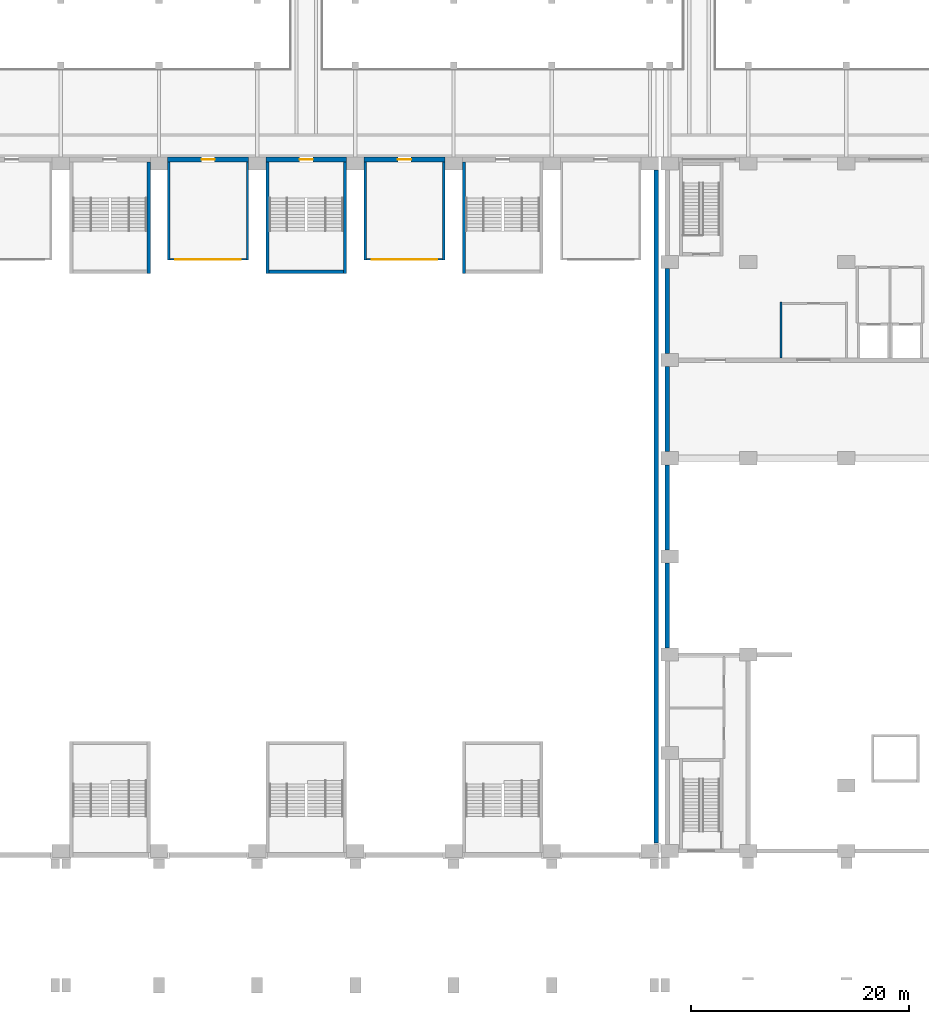
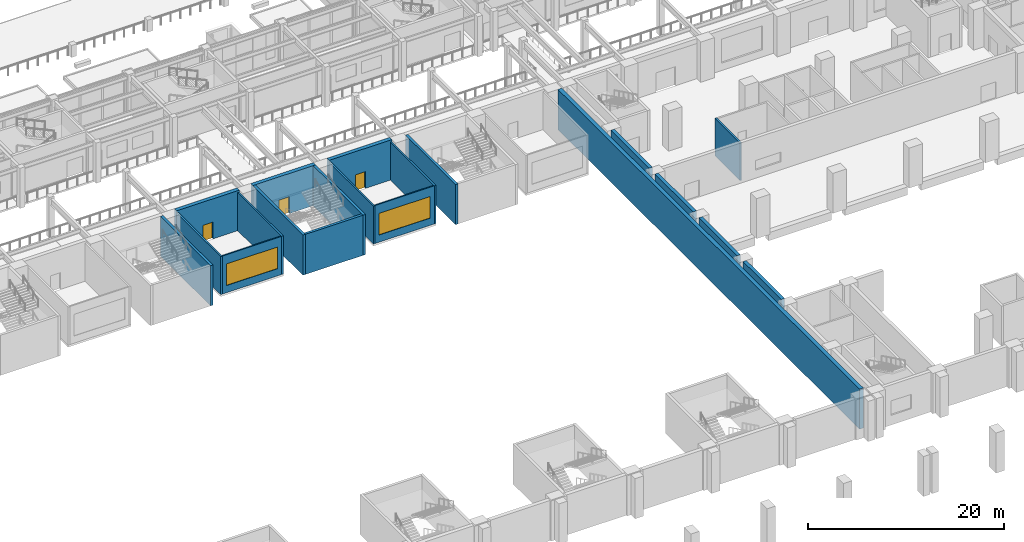
# One storey, part 38 of 67: 20 walls, 3 doors, 2 windows, 5 openings.
"""IFC4 building model written with IfcOpenShell, lengths in metres."""

from ifc_helpers import new_model, si_unit, direction, frame, frame_2d, origin, place, context, subcontext, project, spatial, rectangle, extrude, material, layer, layer_set, type_object, element, fill, save


model = new_model("IFC4")

# Units and contexts
model_context = context("Model", 3, precision=1e-05, world=origin(), true_north=direction((0.0, 1.0)))
body_context = subcontext(model_context, "Body", "Model", "MODEL_VIEW")
ifc_project = project(units=[si_unit("LENGTHUNIT", "METRE"), si_unit("AREAUNIT", "SQUARE_METRE"), si_unit("VOLUMEUNIT", "CUBIC_METRE"), si_unit("PLANEANGLEUNIT", "RADIAN"), si_unit("MASSUNIT", "GRAM", prefix="KILO")], contexts=[model_context])

# Site, building, storey
site_placement = place(None, origin())
site = spatial("IfcSite", under=ifc_project, at=site_placement, CompositionType="ELEMENT")
building_placement = place(site_placement, origin())
building = spatial("IfcBuilding", under=site, at=building_placement, Name="Aravalli Gate Trade Fair Centre", CompositionType="ELEMENT")
storey_placement = place(building_placement, frame((0.0, 0.0, 5.0)))
storey = spatial("IfcBuildingStorey", under=building, at=storey_placement, Name="L01", CompositionType="ELEMENT", Elevation=5.0)

# Walls
ifc_material_1 = material(Name="Concrete M40", Category="concrete")
ifc_layer_1 = layer(ifc_material_1, 0.25, Name="Structural wall")
ifc_material_2 = material(Name="Ventilated air cavity")
ifc_layer_2 = layer(ifc_material_2, 0.050048828125, ventilated=True, Name="Ventilated cavity")
ifc_material_3 = material(Name="Terracotta rainscreen", Category="masonry")
ifc_layer_3 = layer(ifc_material_3, 0.10009765625, Name="Rainscreen cladding")
ifc_layer_set_1 = layer_set([ifc_layer_1, ifc_layer_2, ifc_layer_3], Name="Congress external wall 400")
wall_type_1 = type_object("IfcWallType", Name="Congress external wall 400", PredefinedType="SOLIDWALL", material=ifc_layer_set_1)
for number, where, z_axis, x_axis, name in (
    (1, (106.60009765625, 64.60009765625, 0.0), (0.0, 0.0, 1.0), (0.0, 1.0, 0.0), "West wall L01 bay 3"),
    (2, (106.60009765625, 73.60009765625, 0.0), (0.0, 0.0, 1.0), (0.0, 1.0, 0.0), "West wall L01 bay 4"),
    (3, (106.60009765625, 82.60009765625, 0.0), (0.0, 0.0, 1.0), (0.0, 1.0, 0.0), "West wall L01 bay 5"),
    (4, (106.60009765625, 91.60009765625, 0.0), (0.0, 0.0, 1.0), (0.0, 1.0, 0.0), "West wall L01 bay 6"),
):
    element("IfcWall", number, at=place(storey_placement, frame(where, z_axis=z_axis, x_axis=x_axis)), inside=storey, type_object=wall_type_1, Name=name, PredefinedType="SOLIDWALL", context=body_context, shape_type="SweptSolid", body=[
        extrude(rectangle(XDim=7.7998046875, YDim=0.39990234375, at=frame_2d((3.89990234375, 0.0))), origin(), (0.0, 0.0, 1.0), 5.0),
    ])
ifc_material_4 = material(Name="Concrete block masonry", Category="masonry")
ifc_layer_4 = layer(ifc_material_4, 0.199951171875)
ifc_layer_set_2 = layer_set([ifc_layer_4], Name="Concrete block masonry")
wall_type_2 = type_object("IfcWallType", Name="Congress partition 200", PredefinedType="PARTITIONING", material=ifc_layer_set_2)
wall_1_placement = place(storey_placement, frame((117.0, 91.199951171875, 0.0), z_axis=(0.0, 0.0, 1.0), x_axis=(0.0, 1.0, 0.0)))
element("IfcWall", 5, at=wall_1_placement, inside=storey, type_object=wall_type_2, Name="Control room wall W", PredefinedType="PARTITIONING", context=body_context, shape_type="SweptSolid", body=[
    extrude(rectangle(XDim=5.10009765625, YDim=0.199951171875, at=frame_2d((2.550048828125, 0.0))), origin(), (0.0, 0.0, 1.0), 4.699951171875),
])

# Wall, opening, door
ifc_layer_5 = layer(ifc_material_1, 0.25, Name="Structural wall")
ifc_layer_6 = layer(ifc_material_2, 0.10009765625, ventilated=True, Name="Ventilated cavity")
ifc_layer_7 = layer(ifc_material_3, 0.10009765625, Name="Rainscreen cladding")
ifc_layer_set_3 = layer_set([ifc_layer_5, ifc_layer_6, ifc_layer_7], Name="Hall external wall 450")
wall_type_3 = type_object("IfcWallType", Name="Hall external wall 450", PredefinedType="SOLIDWALL", material=ifc_layer_set_3)
wall_2_placement = place(storey_placement, frame((60.800048828125, 109.375, 0.0), z_axis=(0.0, 0.0, 1.0), x_axis=(1.0, 0.0, 0.0)))
wall_2 = element("IfcWall", 6, at=wall_2_placement, inside=storey, type_object=wall_type_3, Name="Hall north wall bay 7 L01", PredefinedType="SOLIDWALL", context=body_context, shape_type="SweptSolid", body=[
    extrude(rectangle(XDim=7.39990234375, YDim=0.449951171875, at=frame_2d((3.699951171875, 0.0))), origin(), (0.0, 0.0, 1.0), 5.0),
])
opening_1_placement = place(wall_2_placement, frame((3.10009765625, 0.0, 0.0)))
opening_1 = element("IfcOpeningElement", 7, at=opening_1_placement, cuts=wall_2, Name="Opening H-L01-09", PredefinedType="OPENING", context=body_context, shape_type="SweptSolid", body=[
    extrude(rectangle(XDim=1.199951171875, YDim=2.10009765625, at=frame_2d((0.60009765625, 1.050048828125))), frame((0.0, 0.23486328125, 0.0), z_axis=(0.0, -1.0, 0.0), x_axis=(1.0, 0.0, 0.0)), (0.0, 0.0, 1.0), 0.469970703125),
])
ifc_material_5 = material(Name="Steel", Category="steel")
door_type_1 = type_object("IfcDoorType", Name="Meeting room door FD60", OperationType="SINGLE_SWING_LEFT", PredefinedType="DOOR", material=ifc_material_5)
door_1_placement = place(opening_1_placement, frame((1.199951171875, 0.0, 0.0), z_axis=(0.0, 0.0, 1.0), x_axis=(-1.0, 0.0, 0.0)))
door_1 = element("IfcDoor", 8, at=door_1_placement, inside=storey, type_object=door_type_1, Name="Meeting room 4 door", OperationType="SINGLE_SWING_RIGHT", OverallHeight=2.10009765625, OverallWidth=1.199951171875, PredefinedType="DOOR", context=body_context, shape_type="SweptSolid", body=[
    extrude(rectangle(XDim=1.199951171875, YDim=2.10009765625, at=frame_2d((0.60009765625, 1.050048828125))), frame((0.0, 0.02490234375, 0.0), z_axis=(0.0, -1.0, 0.0), x_axis=(1.0, 0.0, 0.0)), (0.0, 0.0, 1.0), 0.050048828125),
])
fill(opening_1, door_1)

wall_3_placement = place(storey_placement, frame((69.800048828125, 109.375, 0.0), z_axis=(0.0, 0.0, 1.0), x_axis=(1.0, 0.0, 0.0)))
wall_3 = element("IfcWall", 9, at=wall_3_placement, inside=storey, type_object=wall_type_3, Name="Hall north wall bay 8 L01", PredefinedType="SOLIDWALL", context=body_context, shape_type="SweptSolid", body=[
    extrude(rectangle(XDim=7.39990234375, YDim=0.449951171875, at=frame_2d((3.699951171875, 0.0))), origin(), (0.0, 0.0, 1.0), 5.0),
])
opening_2_placement = place(wall_3_placement, frame((3.10009765625, 0.0, 0.0)))
opening_2 = element("IfcOpeningElement", 10, at=opening_2_placement, cuts=wall_3, Name="Opening H-L01-04", PredefinedType="OPENING", context=body_context, shape_type="SweptSolid", body=[
    extrude(rectangle(XDim=1.199951171875, YDim=2.10009765625, at=frame_2d((0.60009765625, 1.050048828125))), frame((0.0, 0.23486328125, 0.0), z_axis=(0.0, -1.0, 0.0), x_axis=(1.0, 0.0, 0.0)), (0.0, 0.0, 1.0), 0.469970703125),
])
door_type_2 = type_object("IfcDoorType", Name="Hall stair gallery door FD120", OperationType="SINGLE_SWING_LEFT", PredefinedType="DOOR", material=ifc_material_5)
door_2_placement = place(opening_2_placement, frame((1.199951171875, 0.0, 0.0), z_axis=(0.0, 0.0, 1.0), x_axis=(-1.0, 0.0, 0.0)))
door_2 = element("IfcDoor", 11, at=door_2_placement, inside=storey, type_object=door_type_2, Name="Stair door ST-N08 L01 gallery", OperationType="SINGLE_SWING_LEFT", OverallHeight=2.10009765625, OverallWidth=1.199951171875, PredefinedType="DOOR", context=body_context, shape_type="SweptSolid", body=[
    extrude(rectangle(XDim=1.199951171875, YDim=2.10009765625, at=frame_2d((0.60009765625, 1.050048828125))), frame((0.0, 0.02490234375, 0.0), z_axis=(0.0, -1.0, 0.0), x_axis=(1.0, 0.0, 0.0)), (0.0, 0.0, 1.0), 0.050048828125),
])
fill(opening_2, door_2)

wall_4_placement = place(storey_placement, frame((78.800048828125, 109.375, 0.0), z_axis=(0.0, 0.0, 1.0), x_axis=(1.0, 0.0, 0.0)))
wall_4 = element("IfcWall", 12, at=wall_4_placement, inside=storey, type_object=wall_type_3, Name="Hall north wall bay 9 L01", PredefinedType="SOLIDWALL", context=body_context, shape_type="SweptSolid", body=[
    extrude(rectangle(XDim=7.39990234375, YDim=0.449951171875, at=frame_2d((3.699951171875, 0.0))), origin(), (0.0, 0.0, 1.0), 5.0),
])
opening_3_placement = place(wall_4_placement, frame((3.10009765625, 0.0, 0.0)))
opening_3 = element("IfcOpeningElement", 13, at=opening_3_placement, cuts=wall_4, Name="Opening H-L01-10", PredefinedType="OPENING", context=body_context, shape_type="SweptSolid", body=[
    extrude(rectangle(XDim=1.199951171875, YDim=2.10009765625, at=frame_2d((0.60009765625, 1.050048828125))), frame((0.0, 0.23486328125, 0.0), z_axis=(0.0, -1.0, 0.0), x_axis=(1.0, 0.0, 0.0)), (0.0, 0.0, 1.0), 0.469970703125),
])
door_3_placement = place(opening_3_placement, frame((1.199951171875, 0.0, 0.0), z_axis=(0.0, 0.0, 1.0), x_axis=(-1.0, 0.0, 0.0)))
door_3 = element("IfcDoor", 14, at=door_3_placement, inside=storey, type_object=door_type_1, Name="Meeting room 5 door", OperationType="SINGLE_SWING_LEFT", OverallHeight=2.10009765625, OverallWidth=1.199951171875, PredefinedType="DOOR", context=body_context, shape_type="SweptSolid", body=[
    extrude(rectangle(XDim=1.199951171875, YDim=2.10009765625, at=frame_2d((0.60009765625, 1.050048828125))), frame((0.0, 0.02490234375, 0.0), z_axis=(0.0, -1.0, 0.0), x_axis=(1.0, 0.0, 0.0)), (0.0, 0.0, 1.0), 0.050048828125),
])
fill(opening_3, door_3)

# Wall
wall_5_placement = place(storey_placement, frame((105.574951171875, 46.75, 0.0), z_axis=(0.0, 0.0, 1.0), x_axis=(0.0, 1.0, 0.0)))
element("IfcWall", 15, at=wall_5_placement, inside=storey, type_object=wall_type_3, Name="Hall east wall L01", PredefinedType="SOLIDWALL", context=body_context, shape_type="SweptSolid", body=[
    extrude(rectangle(XDim=61.64990234375, YDim=0.449951171875, at=frame_2d((30.824951171875, 0.0))), origin(), (0.0, 0.0, 1.0), 5.0),
])

# Wall, opening, window
ifc_material_6 = material(Name="Steel E350 (350 MPa)", Category="steel")
ifc_layer_8 = layer(ifc_material_6, 0.14990234375)
ifc_layer_set_4 = layer_set([ifc_layer_8], Name="Steel E350 (350 MPa)")
wall_type_4 = type_object("IfcWallType", Name="Meeting room glazed front wall 150", PredefinedType="PARTITIONING", material=ifc_layer_set_4)
wall_6_placement = place(storey_placement, frame((61.0, 100.22509765625, 0.0), z_axis=(0.0, 0.0, 1.0), x_axis=(1.0, 0.0, 0.0)))
wall_6 = element("IfcWall", 16, at=wall_6_placement, inside=storey, type_object=wall_type_4, Name="Meeting room 4 front wall", PredefinedType="PARTITIONING", context=body_context, shape_type="SweptSolid", body=[
    extrude(rectangle(XDim=7.0, YDim=0.14990234375, at=frame_2d((3.5, 0.0))), origin(), (0.0, 0.0, 1.0), 4.75),
])
opening_4_placement = place(wall_6_placement, frame((0.5, 0.0, 0.89990234375)))
opening_4 = element("IfcOpeningElement", 17, at=opening_4_placement, cuts=wall_6, Name="Opening WM1", PredefinedType="OPENING", context=body_context, shape_type="SweptSolid", body=[
    extrude(rectangle(XDim=6.0, YDim=2.699951171875, at=frame_2d((3.0, 1.35009765625))), frame((0.0, 0.0849609375, 0.0), z_axis=(0.0, -1.0, 0.0), x_axis=(1.0, 0.0, 0.0)), (0.0, 0.0, 1.0), 0.169921875),
])
ifc_material_7 = material(Name="Glass in steel frame", Category="steel")
window_type = type_object("IfcWindowType", Name="Meeting room window 6000x2700", PartitioningType="TRIPLE_PANEL_VERTICAL", PredefinedType="WINDOW", material=ifc_material_7)
window_1_placement = place(opening_4_placement, origin())
window_1 = element("IfcWindow", 18, at=window_1_placement, inside=storey, type_object=window_type, Name="Meeting room 4 window", OverallHeight=2.699951171875, OverallWidth=6.0, PartitioningType="TRIPLE_PANEL_VERTICAL", PredefinedType="WINDOW", context=body_context, shape_type="SweptSolid", body=[
    extrude(rectangle(XDim=6.0, YDim=2.699951171875, at=frame_2d((3.0, 1.35009765625))), frame((0.0, 0.030029296875, 0.0), z_axis=(0.0, -1.0, 0.0), x_axis=(1.0, 0.0, 0.0)), (0.0, 0.0, 1.0), 0.06005859375),
])
fill(opening_4, window_1)

wall_7_placement = place(storey_placement, frame((79.0, 100.22509765625, 0.0), z_axis=(0.0, 0.0, 1.0), x_axis=(1.0, 0.0, 0.0)))
wall_7 = element("IfcWall", 19, at=wall_7_placement, inside=storey, type_object=wall_type_4, Name="Meeting room 5 front wall", PredefinedType="PARTITIONING", context=body_context, shape_type="SweptSolid", body=[
    extrude(rectangle(XDim=7.0, YDim=0.14990234375, at=frame_2d((3.5, 0.0))), origin(), (0.0, 0.0, 1.0), 4.75),
])
opening_5_placement = place(wall_7_placement, frame((0.5, 0.0, 0.89990234375)))
opening_5 = element("IfcOpeningElement", 20, at=opening_5_placement, cuts=wall_7, Name="Opening WM1", PredefinedType="OPENING", context=body_context, shape_type="SweptSolid", body=[
    extrude(rectangle(XDim=6.0, YDim=2.699951171875, at=frame_2d((3.0, 1.35009765625))), frame((0.0, 0.0849609375, 0.0), z_axis=(0.0, -1.0, 0.0), x_axis=(1.0, 0.0, 0.0)), (0.0, 0.0, 1.0), 0.169921875),
])
window_2_placement = place(opening_5_placement, origin())
window_2 = element("IfcWindow", 21, at=window_2_placement, inside=storey, type_object=window_type, Name="Meeting room 5 window", OverallHeight=2.699951171875, OverallWidth=6.0, PartitioningType="TRIPLE_PANEL_VERTICAL", PredefinedType="WINDOW", context=body_context, shape_type="SweptSolid", body=[
    extrude(rectangle(XDim=6.0, YDim=2.699951171875, at=frame_2d((3.0, 1.35009765625))), frame((0.0, 0.030029296875, 0.0), z_axis=(0.0, -1.0, 0.0), x_axis=(1.0, 0.0, 0.0)), (0.0, 0.0, 1.0), 0.06005859375),
])
fill(opening_5, window_2)

# Walls
ifc_layer_9 = layer(ifc_material_1, 0.199951171875)
ifc_layer_set_5 = layer_set([ifc_layer_9], Name="Concrete M40")
wall_type_5 = type_object("IfcWallType", Name="Meeting room side wall RC 200", PredefinedType="SHEAR", material=ifc_layer_set_5)
for number, where, z_axis, x_axis, name in (
    (22, (60.89990234375, 100.14990234375, 0.0), (0.0, 0.0, 1.0), (0.0, 1.0, 0.0), "Meeting room 4 side wall W"),
    (23, (68.10009765625, 100.14990234375, 0.0), (0.0, 0.0, 1.0), (0.0, 1.0, 0.0), "Meeting room 4 side wall E"),
    (24, (78.89990234375, 100.14990234375, 0.0), (0.0, 0.0, 1.0), (0.0, 1.0, 0.0), "Meeting room 5 side wall W"),
    (25, (86.10009765625, 100.14990234375, 0.0), (0.0, 0.0, 1.0), (0.0, 1.0, 0.0), "Meeting room 5 side wall E"),
):
    element("IfcWall", number, at=place(storey_placement, frame(where, z_axis=z_axis, x_axis=x_axis)), inside=storey, type_object=wall_type_5, Name=name, PredefinedType="SHEAR", context=body_context, shape_type="SweptSolid", body=[
        extrude(rectangle(XDim=9.0, YDim=0.199951171875, at=frame_2d((4.5, 0.0))), origin(), (0.0, 0.0, 1.0), 4.75),
    ])
ifc_layer_10 = layer(ifc_material_1, 0.300048828125)
ifc_layer_set_6 = layer_set([ifc_layer_10], Name="Concrete M40")
wall_type_6 = type_object("IfcWallType", Name="Stair tower wall RC 300", PredefinedType="SHEAR", material=ifc_layer_set_6)
for number, where, z_axis, x_axis, name in (
    (26, (59.050048828125, 109.14990234375, 0.0), (0.0, 0.0, 1.0), (0.0, -1.0, 0.0), "Stair tower N06 wall E L01"),
    (27, (69.949951171875, 109.14990234375, 0.0), (0.0, 0.0, 1.0), (0.0, -1.0, 0.0), "Stair tower N08 wall W L01"),
    (28, (77.050048828125, 109.14990234375, 0.0), (0.0, 0.0, 1.0), (0.0, -1.0, 0.0), "Stair tower N08 wall E L01"),
):
    element("IfcWall", number, at=place(storey_placement, frame(where, z_axis=z_axis, x_axis=x_axis)), inside=storey, type_object=wall_type_6, Name=name, PredefinedType="SHEAR", context=body_context, shape_type="SweptSolid", body=[
        extrude(rectangle(XDim=10.199951171875, YDim=0.300048828125, at=frame_2d((5.10009765625, 0.0))), origin(), (0.0, 0.0, 1.0), 5.0),
    ])
wall_8_placement = place(storey_placement, frame((70.10009765625, 99.10009765625, 0.0), z_axis=(0.0, 0.0, 1.0), x_axis=(1.0, 0.0, 0.0)))
element("IfcWall", 29, at=wall_8_placement, inside=storey, type_object=wall_type_6, Name="Stair tower N08 wall F L01", PredefinedType="SHEAR", context=body_context, shape_type="SweptSolid", body=[
    extrude(rectangle(XDim=6.7998046875, YDim=0.300048828125, at=frame_2d((3.39990234375, 0.0))), origin(), (0.0, 0.0, 1.0), 5.0),
])
wall_9_placement = place(storey_placement, frame((87.949951171875, 109.14990234375, 0.0), z_axis=(0.0, 0.0, 1.0), x_axis=(0.0, -1.0, 0.0)))
element("IfcWall", 30, at=wall_9_placement, inside=storey, type_object=wall_type_6, Name="Stair tower N10 wall W L01", PredefinedType="SHEAR", context=body_context, shape_type="SweptSolid", body=[
    extrude(rectangle(XDim=10.199951171875, YDim=0.300048828125, at=frame_2d((5.10009765625, 0.0))), origin(), (0.0, 0.0, 1.0), 5.0),
])

save(model, "model.ifc")
